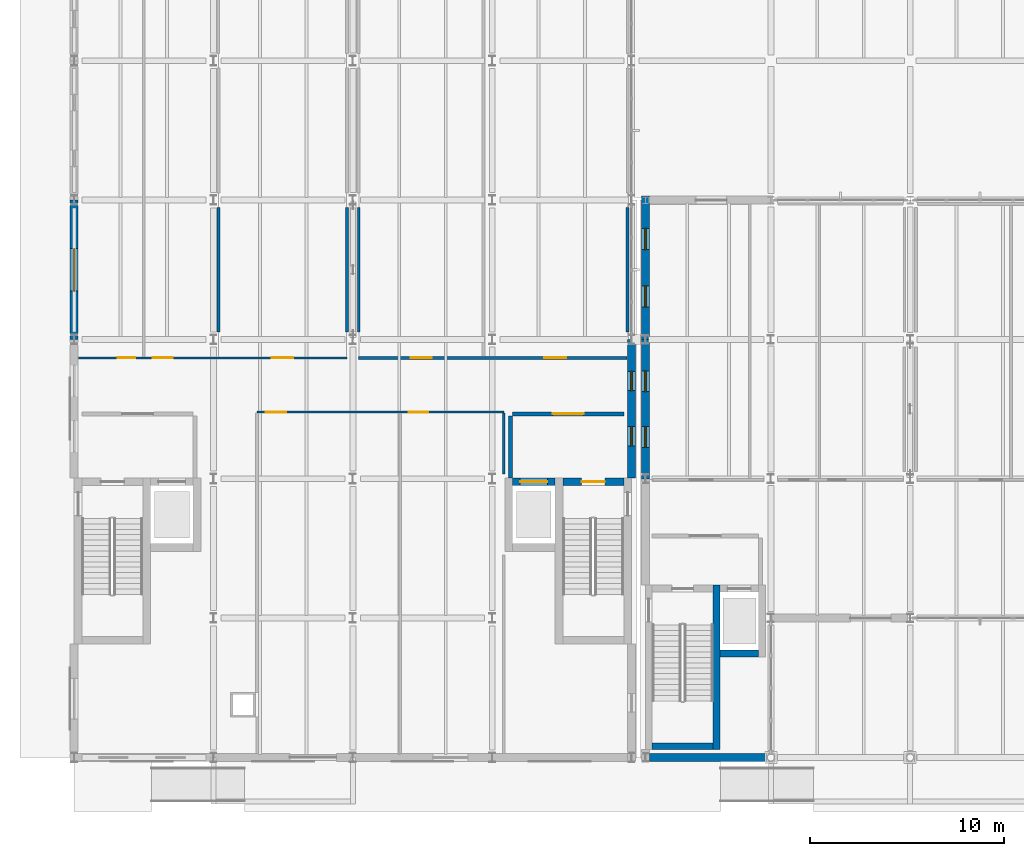
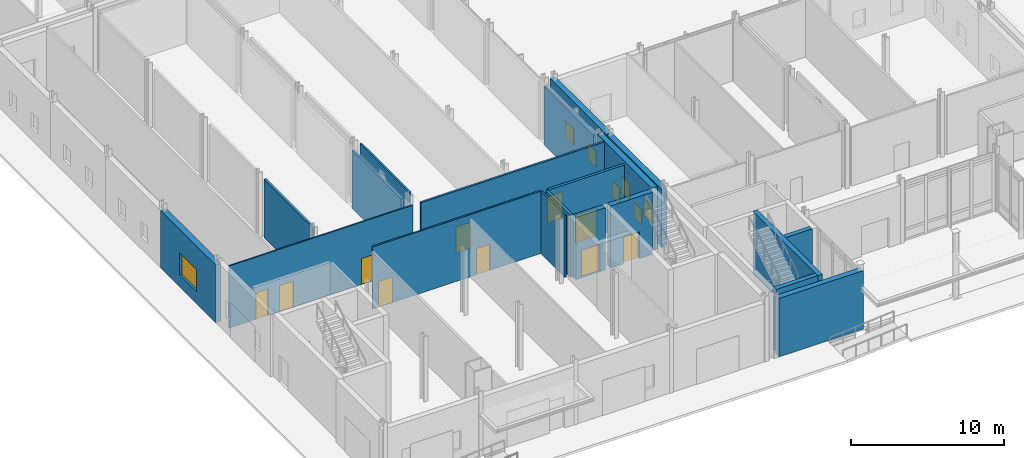
# One storey, part 59 of 89: 20 walls, 10 doors, 7 windows, 17 openings.
"""IFC4 building model written with IfcOpenShell, lengths in metres."""

from ifc_helpers import new_model, si_unit, direction, frame, frame_2d, origin, place, context, subcontext, project, spatial, rectangle, extrude, material, layer, layer_set, type_object, element, fill, save


model = new_model("IFC4")

# Units and contexts
model_context = context("Model", 3, precision=1e-05, world=origin(), true_north=direction((0.0, 1.0)))
body_context = subcontext(model_context, "Body", "Model", "MODEL_VIEW")
ifc_project = project(units=[si_unit("LENGTHUNIT", "METRE"), si_unit("AREAUNIT", "SQUARE_METRE"), si_unit("VOLUMEUNIT", "CUBIC_METRE"), si_unit("PLANEANGLEUNIT", "RADIAN"), si_unit("MASSUNIT", "GRAM", prefix="KILO")], contexts=[model_context])

# Site, building, storey
site_placement = place(None, origin())
site = spatial("IfcSite", under=ifc_project, at=site_placement, CompositionType="ELEMENT")
building_placement = place(site_placement, origin())
building = spatial("IfcBuilding", under=site, at=building_placement, Name="Zarrinpeak Specialist Clinic", CompositionType="ELEMENT")
storey_placement = place(building_placement, origin())
storey = spatial("IfcBuildingStorey", under=building, at=storey_placement, Name="L00", CompositionType="ELEMENT", Elevation=0.0)

# Walls
ifc_material_1 = material(Name="Concrete C40/50", Category="concrete")
ifc_layer_1 = layer(ifc_material_1, 0.35009765625)
ifc_layer_set_1 = layer_set([ifc_layer_1], Name="Concrete C40/50")
wall_type_1 = type_object("IfcWallType", Name="WL-CR350", PredefinedType="SHEAR", material=ifc_layer_set_1)
wall_1_placement = place(storey_placement, frame((29.8701171875, 0.574951171875, 0.0), z_axis=(0.0, 0.0, 1.0), x_axis=(1.0, 0.0, 0.0)))
element("IfcWall", 1, at=wall_1_placement, inside=storey, type_object=wall_type_1, Name="L00 Core C03 Shear Wall STS", PredefinedType="SHEAR", context=body_context, shape_type="SweptSolid", body=[
    extrude(rectangle(XDim=3.14990234375, YDim=0.35009765625, at=frame_2d((1.574951171875, 0.0))), origin(), (0.0, 0.0, 1.0), 4.969970703125),
])
wall_2_placement = place(storey_placement, frame((33.195068359375, 0.39990234375, 0.0), z_axis=(0.0, 0.0, 1.0), x_axis=(0.0, 1.0, 0.0)))
element("IfcWall", 2, at=wall_2_placement, inside=storey, type_object=wall_type_1, Name="L00 Core C03 Shear Wall STE", PredefinedType="SHEAR", context=body_context, shape_type="SweptSolid", body=[
    extrude(rectangle(XDim=8.5, YDim=0.35009765625, at=frame_2d((4.25, 0.0))), origin(), (0.0, 0.0, 1.0), 4.969970703125),
])
wall_3_placement = place(storey_placement, frame((33.3701171875, 5.375, 0.0), z_axis=(0.0, 0.0, 1.0), x_axis=(1.0, 0.0, 0.0)))
element("IfcWall", 3, at=wall_3_placement, inside=storey, type_object=wall_type_1, Name="L00 Lift LF-P2 Shaft Wall LFS", PredefinedType="SHEAR", context=body_context, shape_type="SweptSolid", body=[
    extrude(rectangle(XDim=2.0, YDim=0.35009765625, at=frame_2d((1.0, 0.0))), origin(), (0.0, 0.0, 1.0), 4.969970703125),
])

# Wall, opening, door
ifc_layer_2 = layer(ifc_material_1, 0.39990234375)
ifc_layer_set_2 = layer_set([ifc_layer_2], Name="Concrete C40/50")
wall_type_2 = type_object("IfcWallType", Name="WL-CR400", PredefinedType="SHEAR", material=ifc_layer_set_2)
wall_4_placement = place(storey_placement, frame((25.25, 14.25, 0.0), z_axis=(0.0, 0.0, 1.0), x_axis=(1.0, 0.0, 0.0)))
wall_4 = element("IfcWall", 4, at=wall_4_placement, inside=storey, type_object=wall_type_2, Name="L00 Core C02 Shear Wall STN", PredefinedType="SHEAR", context=body_context, shape_type="SweptSolid", body=[
    extrude(rectangle(XDim=3.14990234375, YDim=0.39990234375, at=frame_2d((1.574951171875, 0.0))), origin(), (0.0, 0.0, 1.0), 4.969970703125),
])
opening_1_placement = place(wall_4_placement, frame((0.97509765625, 0.0, 0.0)))
opening_1 = element("IfcOpeningElement", 5, at=opening_1_placement, cuts=wall_4, Name="Opening D-S01", PredefinedType="OPENING", context=body_context, shape_type="SweptSolid", body=[
    extrude(rectangle(XDim=1.199951171875, YDim=2.14990234375, at=frame_2d((0.60009765625, 1.074951171875))), frame((0.0, 0.2099609375, 0.0), z_axis=(0.0, -1.0, 0.0), x_axis=(1.0, 0.0, 0.0)), (0.0, 0.0, 1.0), 0.419921875),
])
ifc_material_2 = material(Name="Powder-Coated Galvanised Steel", Category="steel")
door_type_1 = type_object("IfcDoorType", Name="DR-FD120", OperationType="SINGLE_SWING_LEFT", PredefinedType="DOOR", material=ifc_material_2)
door_1_placement = place(opening_1_placement, frame((1.199951171875, 0.0, 0.0), z_axis=(0.0, 0.0, 1.0), x_axis=(-1.0, 0.0, 0.0)))
door_1 = element("IfcDoor", 6, at=door_1_placement, inside=storey, type_object=door_type_1, Name="L00 Protected Stair ST-02 Fire Door", OperationType="SINGLE_SWING_LEFT", OverallHeight=2.14990234375, OverallWidth=1.199951171875, PredefinedType="DOOR", context=body_context, shape_type="SweptSolid", body=[
    extrude(rectangle(XDim=1.199951171875, YDim=2.14990234375, at=frame_2d((0.60009765625, 1.074951171875))), frame((0.0, 0.02490234375, 0.0), z_axis=(0.0, -1.0, 0.0), x_axis=(1.0, 0.0, 0.0)), (0.0, 0.0, 1.0), 0.050048828125),
])
fill(opening_1, door_1)

wall_5_placement = place(storey_placement, frame((22.64990234375, 14.25, 0.0), z_axis=(0.0, 0.0, 1.0), x_axis=(1.0, 0.0, 0.0)))
wall_5 = element("IfcWall", 7, at=wall_5_placement, inside=storey, type_object=wall_type_2, Name="L00 Lift LF-FF2 Shaft Wall LFN", PredefinedType="SHEAR", context=body_context, shape_type="SweptSolid", body=[
    extrude(rectangle(XDim=2.2001953125, YDim=0.39990234375, at=frame_2d((1.10009765625, 0.0))), origin(), (0.0, 0.0, 1.0), 4.969970703125),
])
opening_2_placement = place(wall_5_placement, frame((0.39990234375, 0.0, 0.0)))
opening_2 = element("IfcOpeningElement", 8, at=opening_2_placement, cuts=wall_5, Name="Opening LD-01", PredefinedType="OPENING", context=body_context, shape_type="SweptSolid", body=[
    extrude(rectangle(XDim=1.39990234375, YDim=2.199951171875, at=frame_2d((0.699951171875, 1.10009765625))), frame((0.0, 0.2099609375, 0.0), z_axis=(0.0, -1.0, 0.0), x_axis=(1.0, 0.0, 0.0)), (0.0, 0.0, 1.0), 0.419921875),
])
door_type_2 = type_object("IfcDoorType", Name="DR-LD140", OperationType="SLIDING_TO_LEFT", PredefinedType="DOOR", material=ifc_material_2)
door_2_placement = place(opening_2_placement, origin())
door_2 = element("IfcDoor", 9, at=door_2_placement, inside=storey, type_object=door_type_2, Name="L00 Lift LF-FF2 Sliding Landing Door", OperationType="SLIDING_TO_LEFT", OverallHeight=2.199951171875, OverallWidth=1.39990234375, PredefinedType="DOOR", context=body_context, shape_type="SweptSolid", body=[
    extrude(rectangle(XDim=1.39990234375, YDim=2.199951171875, at=frame_2d((0.699951171875, 1.10009765625))), frame((0.0, 0.02490234375, 0.0), z_axis=(0.0, -1.0, 0.0), x_axis=(1.0, 0.0, 0.0)), (0.0, 0.0, 1.0), 0.050048828125),
])
fill(opening_2, door_2)

# Wall, opening, window
ifc_material_3 = material(Name="Precast concrete C40/50", Category="concrete")
ifc_layer_3 = layer(ifc_material_3, 0.419921875)
ifc_layer_set_3 = layer_set([ifc_layer_3], Name="Precast concrete C40/50")
wall_type_3 = type_object("IfcWallType", Name="WL-EW420", PredefinedType="STANDARD", material=ifc_layer_set_3)
wall_6_placement = place(storey_placement, frame((0.0, 28.800048828125, 0.0), z_axis=(0.0, 0.0, 1.0), x_axis=(0.0, -1.0, 0.0)))
wall_6 = element("IfcWall", 10, at=wall_6_placement, inside=storey, type_object=wall_type_3, Name="L00 V1 Exterior GRC Wall EW-L00-V1-0009", PredefinedType="STANDARD", context=body_context, shape_type="SweptSolid", body=[
    extrude(rectangle(XDim=7.199951171875, YDim=0.419921875, at=frame_2d((3.60009765625, 0.0))), origin(), (0.0, 0.0, 1.0), 4.594970703125),
])
opening_3_placement = place(wall_6_placement, frame((2.5, 0.0, 0.949951171875)))
opening_3 = element("IfcOpeningElement", 11, at=opening_3_placement, cuts=wall_6, Name="Opening W-12", PredefinedType="OPENING", context=body_context, shape_type="SweptSolid", body=[
    extrude(rectangle(XDim=2.199951171875, YDim=1.75, at=frame_2d((1.10009765625, 0.875))), frame((0.0, 0.219970703125, 0.0), z_axis=(0.0, -1.0, 0.0), x_axis=(1.0, 0.0, 0.0)), (0.0, 0.0, 1.0), 0.43994140625),
])
ifc_material_4 = material(Name="Thermally Broken Aluminium and Low-E Glazing", Category="aluminium")
window_type_1 = type_object("IfcWindowType", Name="WN-SEM220", PartitioningType="SINGLE_PANEL", PredefinedType="WINDOW", material=ifc_material_4)
window_1_placement = place(opening_3_placement, origin())
window_1 = element("IfcWindow", 12, at=window_1_placement, inside=storey, type_object=window_type_1, Name="L00 Modular Facade Window WN-L00-0011", OverallHeight=1.75, OverallWidth=2.199951171875, PartitioningType="SINGLE_PANEL", PredefinedType="WINDOW", context=body_context, shape_type="SweptSolid", body=[
    extrude(rectangle(XDim=2.199951171875, YDim=1.75, at=frame_2d((1.10009765625, 0.875))), frame((0.0, 0.030029296875, 0.0), z_axis=(0.0, -1.0, 0.0), x_axis=(1.0, 0.0, 0.0)), (0.0, 0.0, 1.0), 0.06005859375),
])
fill(opening_3, window_1)

# Wall, openings, windows
wall_7_placement = place(storey_placement, frame((28.800048828125, 14.449951171875, 0.0), z_axis=(0.0, 0.0, 1.0), x_axis=(0.0, 1.0, 0.0)))
wall_7 = element("IfcWall", 13, at=wall_7_placement, inside=storey, type_object=wall_type_3, Name="L00 V1 Exterior GRC Wall EW-L00-V1-0014", PredefinedType="STANDARD", context=body_context, shape_type="SweptSolid", body=[
    extrude(rectangle(XDim=7.150146484375, YDim=0.419921875, at=frame_2d((3.5751953125, 0.0))), origin(), (0.0, 0.0, 1.0), 4.969970703125),
])
opening_4_placement = place(wall_7_placement, frame((1.64697265625, 0.0, 0.949951171875)))
opening_4 = element("IfcOpeningElement", 14, at=opening_4_placement, cuts=wall_7, Name="Opening WS-05", PredefinedType="OPENING", context=body_context, shape_type="SweptSolid", body=[
    extrude(rectangle(XDim=0.99609375, YDim=1.260009765625, at=frame_2d((0.498046875, 0.6298828125))), frame((0.0, 0.219970703125, 0.0), z_axis=(0.0, -1.0, 0.0), x_axis=(1.0, 0.0, 0.0)), (0.0, 0.0, 1.0), 0.43994140625),
])
opening_5_placement = place(wall_7_placement, frame((4.507080078125, 0.0, 0.949951171875)))
opening_5 = element("IfcOpeningElement", 15, at=opening_5_placement, cuts=wall_7, Name="Opening WS-05", PredefinedType="OPENING", context=body_context, shape_type="SweptSolid", body=[
    extrude(rectangle(XDim=0.99609375, YDim=1.260009765625, at=frame_2d((0.498046875, 0.6298828125))), frame((0.0, 0.219970703125, 0.0), z_axis=(0.0, -1.0, 0.0), x_axis=(1.0, 0.0, 0.0)), (0.0, 0.0, 1.0), 0.43994140625),
])
window_type_2 = type_object("IfcWindowType", Name="WN-SP05", PartitioningType="SINGLE_PANEL", PredefinedType="WINDOW", material=ifc_material_4)
window_2_placement = place(opening_4_placement, origin())
window_2 = element("IfcWindow", 16, at=window_2_placement, inside=storey, type_object=window_type_2, Name="L00 Modular Facade Window WN-L00-0019", OverallHeight=1.260009765625, OverallWidth=0.99609375, PartitioningType="SINGLE_PANEL", PredefinedType="WINDOW", context=body_context, shape_type="SweptSolid", body=[
    extrude(rectangle(XDim=0.99609375, YDim=1.260009765625, at=frame_2d((0.498046875, 0.6298828125))), frame((0.0, 0.030029296875, 0.0), z_axis=(0.0, -1.0, 0.0), x_axis=(1.0, 0.0, 0.0)), (0.0, 0.0, 1.0), 0.06005859375),
])
fill(opening_4, window_2)
window_3_placement = place(opening_5_placement, origin())
window_3 = element("IfcWindow", 17, at=window_3_placement, inside=storey, type_object=window_type_2, Name="L00 Modular Facade Window WN-L00-0020", OverallHeight=1.260009765625, OverallWidth=0.99609375, PartitioningType="SINGLE_PANEL", PredefinedType="WINDOW", context=body_context, shape_type="SweptSolid", body=[
    extrude(rectangle(XDim=0.99609375, YDim=1.260009765625, at=frame_2d((0.498046875, 0.6298828125))), frame((0.0, 0.030029296875, 0.0), z_axis=(0.0, -1.0, 0.0), x_axis=(1.0, 0.0, 0.0)), (0.0, 0.0, 1.0), 0.06005859375),
])
fill(opening_5, window_3)

# Wall
wall_8_placement = place(storey_placement, frame((29.72998046875, 0.0, 0.0), z_axis=(0.0, 0.0, 1.0), x_axis=(1.0, 0.0, 0.0)))
element("IfcWall", 18, at=wall_8_placement, inside=storey, type_object=wall_type_3, Name="L00 V2 Exterior GRC Wall EW-L00-V2-0096", PredefinedType="STANDARD", context=body_context, shape_type="SweptSolid", body=[
    extrude(rectangle(XDim=6.380126953125, YDim=0.419921875, at=frame_2d((3.18994140625, 0.0))), origin(), (0.0, 0.0, 1.0), 4.6650390625),
])

# Wall, openings, windows
wall_9_placement = place(storey_placement, frame((29.52001953125, 21.60009765625, 0.0), z_axis=(0.0, 0.0, 1.0), x_axis=(0.0, -1.0, 0.0)))
wall_9 = element("IfcWall", 19, at=wall_9_placement, inside=storey, type_object=wall_type_3, Name="L00 V2 Exterior GRC Wall EW-L00-V2-0103", PredefinedType="STANDARD", context=body_context, shape_type="SweptSolid", body=[
    extrude(rectangle(XDim=7.2001953125, YDim=0.419921875, at=frame_2d((3.60009765625, 0.0))), origin(), (0.0, 0.0, 1.0), 4.6650390625),
])
opening_6_placement = place(wall_9_placement, frame((1.6279296875, 0.0, 0.949951171875)))
opening_6 = element("IfcOpeningElement", 20, at=opening_6_placement, cuts=wall_9, Name="Opening WS-20", PredefinedType="OPENING", context=body_context, shape_type="SweptSolid", body=[
    extrude(rectangle(XDim=1.06396484375, YDim=1.2958984375, at=frame_2d((0.531982421875, 0.64794921875))), frame((0.0, 0.219970703125, 0.0), z_axis=(0.0, -1.0, 0.0), x_axis=(1.0, 0.0, 0.0)), (0.0, 0.0, 1.0), 0.43994140625),
])
opening_7_placement = place(wall_9_placement, frame((4.508056640625, 0.0, 0.949951171875)))
opening_7 = element("IfcOpeningElement", 21, at=opening_7_placement, cuts=wall_9, Name="Opening WS-20", PredefinedType="OPENING", context=body_context, shape_type="SweptSolid", body=[
    extrude(rectangle(XDim=1.06396484375, YDim=1.2958984375, at=frame_2d((0.531982421875, 0.64794921875))), frame((0.0, 0.219970703125, 0.0), z_axis=(0.0, -1.0, 0.0), x_axis=(1.0, 0.0, 0.0)), (0.0, 0.0, 1.0), 0.43994140625),
])
window_type_3 = type_object("IfcWindowType", Name="WN-SP20", PartitioningType="SINGLE_PANEL", PredefinedType="WINDOW", material=ifc_material_4)
window_4_placement = place(opening_6_placement, origin())
window_4 = element("IfcWindow", 22, at=window_4_placement, inside=storey, type_object=window_type_3, Name="L00 Modular Facade Window WN-L00-0140", OverallHeight=1.2958984375, OverallWidth=1.06396484375, PartitioningType="SINGLE_PANEL", PredefinedType="WINDOW", context=body_context, shape_type="SweptSolid", body=[
    extrude(rectangle(XDim=1.06396484375, YDim=1.2958984375, at=frame_2d((0.531982421875, 0.64794921875))), frame((0.0, 0.030029296875, 0.0), z_axis=(0.0, -1.0, 0.0), x_axis=(1.0, 0.0, 0.0)), (0.0, 0.0, 1.0), 0.06005859375),
])
fill(opening_6, window_4)
window_5_placement = place(opening_7_placement, origin())
window_5 = element("IfcWindow", 23, at=window_5_placement, inside=storey, type_object=window_type_3, Name="L00 Modular Facade Window WN-L00-0141", OverallHeight=1.2958984375, OverallWidth=1.06396484375, PartitioningType="SINGLE_PANEL", PredefinedType="WINDOW", context=body_context, shape_type="SweptSolid", body=[
    extrude(rectangle(XDim=1.06396484375, YDim=1.2958984375, at=frame_2d((0.531982421875, 0.64794921875))), frame((0.0, 0.030029296875, 0.0), z_axis=(0.0, -1.0, 0.0), x_axis=(1.0, 0.0, 0.0)), (0.0, 0.0, 1.0), 0.06005859375),
])
fill(opening_7, window_5)

wall_10_placement = place(storey_placement, frame((29.52001953125, 29.010009765625, 0.0), z_axis=(0.0, 0.0, 1.0), x_axis=(0.0, -1.0, 0.0)))
wall_10 = element("IfcWall", 24, at=wall_10_placement, inside=storey, type_object=wall_type_3, Name="L00 V2 Exterior GRC Wall EW-L00-V2-0104", PredefinedType="STANDARD", context=body_context, shape_type="SweptSolid", body=[
    extrude(rectangle(XDim=7.409912109375, YDim=0.419921875, at=frame_2d((3.705078125, 0.0))), origin(), (0.0, 0.0, 1.0), 4.6650390625),
])
opening_8_placement = place(wall_10_placement, frame((1.674072265625, 0.0, 0.949951171875)))
opening_8 = element("IfcOpeningElement", 25, at=opening_8_placement, cuts=wall_10, Name="Opening WS-21", PredefinedType="OPENING", context=body_context, shape_type="SweptSolid", body=[
    extrude(rectangle(XDim=1.097900390625, YDim=1.2958984375, at=frame_2d((0.548828125, 0.64794921875))), frame((0.0, 0.219970703125, 0.0), z_axis=(0.0, -1.0, 0.0), x_axis=(1.0, 0.0, 0.0)), (0.0, 0.0, 1.0), 0.43994140625),
])
opening_9_placement = place(wall_10_placement, frame((4.637939453125, 0.0, 0.949951171875)))
opening_9 = element("IfcOpeningElement", 26, at=opening_9_placement, cuts=wall_10, Name="Opening WS-21", PredefinedType="OPENING", context=body_context, shape_type="SweptSolid", body=[
    extrude(rectangle(XDim=1.097900390625, YDim=1.2958984375, at=frame_2d((0.548828125, 0.64794921875))), frame((0.0, 0.219970703125, 0.0), z_axis=(0.0, -1.0, 0.0), x_axis=(1.0, 0.0, 0.0)), (0.0, 0.0, 1.0), 0.43994140625),
])
window_type_4 = type_object("IfcWindowType", Name="WN-SP21", PartitioningType="SINGLE_PANEL", PredefinedType="WINDOW", material=ifc_material_4)
window_6_placement = place(opening_8_placement, origin())
window_6 = element("IfcWindow", 27, at=window_6_placement, inside=storey, type_object=window_type_4, Name="L00 Modular Facade Window WN-L00-0142", OverallHeight=1.2958984375, OverallWidth=1.097900390625, PartitioningType="SINGLE_PANEL", PredefinedType="WINDOW", context=body_context, shape_type="SweptSolid", body=[
    extrude(rectangle(XDim=1.097900390625, YDim=1.2958984375, at=frame_2d((0.548828125, 0.64794921875))), frame((0.0, 0.030029296875, 0.0), z_axis=(0.0, -1.0, 0.0), x_axis=(1.0, 0.0, 0.0)), (0.0, 0.0, 1.0), 0.06005859375),
])
fill(opening_8, window_6)
window_7_placement = place(opening_9_placement, origin())
window_7 = element("IfcWindow", 28, at=window_7_placement, inside=storey, type_object=window_type_4, Name="L00 Modular Facade Window WN-L00-0143", OverallHeight=1.2958984375, OverallWidth=1.097900390625, PartitioningType="SINGLE_PANEL", PredefinedType="WINDOW", context=body_context, shape_type="SweptSolid", body=[
    extrude(rectangle(XDim=1.097900390625, YDim=1.2958984375, at=frame_2d((0.548828125, 0.64794921875))), frame((0.0, 0.030029296875, 0.0), z_axis=(0.0, -1.0, 0.0), x_axis=(1.0, 0.0, 0.0)), (0.0, 0.0, 1.0), 0.06005859375),
])
fill(opening_9, window_7)

# Wall, openings, doors
ifc_material_5 = material(Name="Sanitary Service Chase Plumbing Wall", Category="gypsum")
ifc_layer_4 = layer(ifc_material_5, 0.110107421875)
ifc_layer_set_4 = layer_set([ifc_layer_4], Name="Sanitary Service Chase Plumbing Wall")
wall_type_4 = type_object("IfcWallType", Name="WL-IW110", PredefinedType="PARTITIONING", material=ifc_layer_set_4)
wall_11_placement = place(storey_placement, frame((0.22998046875, 20.64990234375, 0.0), z_axis=(0.0, 0.0, 1.0), x_axis=(1.0, 0.0, 0.0)))
wall_11 = element("IfcWall", 29, at=wall_11_placement, inside=storey, type_object=wall_type_4, Name="L00 Public Washroom Partition", PredefinedType="PARTITIONING", context=body_context, shape_type="SweptSolid", body=[
    extrude(rectangle(XDim=13.8701171875, YDim=0.110107421875, at=frame_2d((6.93505859375, 0.0))), origin(), (0.0, 0.0, 1.0), 4.969970703125),
])
opening_10_placement = place(wall_11_placement, frame((2.02001953125, 0.0, 0.0)))
opening_10 = element("IfcOpeningElement", 30, at=opening_10_placement, cuts=wall_11, Name="Opening D-W01", PredefinedType="OPENING", context=body_context, shape_type="SweptSolid", body=[
    extrude(rectangle(XDim=0.89990234375, YDim=2.10009765625, at=frame_2d((0.449951171875, 1.050048828125))), frame((0.0, 0.06494140625, 0.0), z_axis=(0.0, -1.0, 0.0), x_axis=(1.0, 0.0, 0.0)), (0.0, 0.0, 1.0), 0.130126953125),
])
opening_11_placement = place(wall_11_placement, frame((3.820068359375, 0.0, 0.0)))
opening_11 = element("IfcOpeningElement", 31, at=opening_11_placement, cuts=wall_11, Name="Opening DS-20", PredefinedType="OPENING", context=body_context, shape_type="SweptSolid", body=[
    extrude(rectangle(XDim=1.035888671875, YDim=2.068115234375, at=frame_2d((0.51806640625, 1.0341796875))), frame((0.0, 0.06494140625, 0.0), z_axis=(0.0, -1.0, 0.0), x_axis=(1.0, 0.0, 0.0)), (0.0, 0.0, 1.0), 0.130126953125),
])
opening_12_placement = place(wall_11_placement, frame((9.988037109375, 0.0, 0.0)))
opening_12 = element("IfcOpeningElement", 32, at=opening_12_placement, cuts=wall_11, Name="Opening DS-23", PredefinedType="OPENING", context=body_context, shape_type="SweptSolid", body=[
    extrude(rectangle(XDim=1.114013671875, YDim=2.068115234375, at=frame_2d((0.55712890625, 1.0341796875))), frame((0.0, 0.06494140625, 0.0), z_axis=(0.0, -1.0, 0.0), x_axis=(1.0, 0.0, 0.0)), (0.0, 0.0, 1.0), 0.130126953125),
])
door_type_3 = type_object("IfcDoorType", Name="DR-SP20", OperationType="SINGLE_SWING_LEFT", PredefinedType="DOOR", material=ifc_material_2)
door_3_placement = place(opening_11_placement, frame((1.035888671875, 0.0, 0.0), z_axis=(0.0, 0.0, 1.0), x_axis=(-1.0, 0.0, 0.0)))
door_3 = element("IfcDoor", 33, at=door_3_placement, inside=storey, type_object=door_type_3, Name="L00 Fire Command Room Door", OperationType="SINGLE_SWING_LEFT", OverallHeight=2.068115234375, OverallWidth=1.035888671875, PredefinedType="DOOR", context=body_context, shape_type="SweptSolid", body=[
    extrude(rectangle(XDim=1.035888671875, YDim=2.068115234375, at=frame_2d((0.51806640625, 1.0341796875))), frame((0.0, 0.02490234375, 0.0), z_axis=(0.0, -1.0, 0.0), x_axis=(1.0, 0.0, 0.0)), (0.0, 0.0, 1.0), 0.050048828125),
])
fill(opening_11, door_3)
door_type_4 = type_object("IfcDoorType", Name="DR-SP23", OperationType="SINGLE_SWING_RIGHT", PredefinedType="DOOR", material=ifc_material_2)
door_4_placement = place(opening_12_placement, frame((1.114013671875, 0.0, 0.0), z_axis=(0.0, 0.0, 1.0), x_axis=(-1.0, 0.0, 0.0)))
door_4 = element("IfcDoor", 34, at=door_4_placement, inside=storey, type_object=door_type_4, Name="L00 Cardiology ECG Diagnostic Suite Door", OperationType="SINGLE_SWING_RIGHT", OverallHeight=2.068115234375, OverallWidth=1.114013671875, PredefinedType="DOOR", context=body_context, shape_type="SweptSolid", body=[
    extrude(rectangle(XDim=1.114013671875, YDim=2.068115234375, at=frame_2d((0.55712890625, 1.0341796875))), frame((0.0, 0.02490234375, 0.0), z_axis=(0.0, -1.0, 0.0), x_axis=(1.0, 0.0, 0.0)), (0.0, 0.0, 1.0), 0.050048828125),
])
fill(opening_12, door_4)
door_type_5 = type_object("IfcDoorType", Name="DR-WC90", OperationType="SINGLE_SWING_RIGHT", PredefinedType="DOOR", material=ifc_material_2)
door_5_placement = place(opening_10_placement, frame((0.89990234375, 0.0, 0.0), z_axis=(0.0, 0.0, 1.0), x_axis=(-1.0, 0.0, 0.0)))
door_5 = element("IfcDoor", 35, at=door_5_placement, inside=storey, type_object=door_type_5, Name="L00 Public Washroom Door", OperationType="SINGLE_SWING_RIGHT", OverallHeight=2.10009765625, OverallWidth=0.89990234375, PredefinedType="DOOR", context=body_context, shape_type="SweptSolid", body=[
    extrude(rectangle(XDim=0.89990234375, YDim=2.10009765625, at=frame_2d((0.449951171875, 1.050048828125))), frame((0.0, 0.02490234375, 0.0), z_axis=(0.0, -1.0, 0.0), x_axis=(1.0, 0.0, 0.0)), (0.0, 0.0, 1.0), 0.050048828125),
])
fill(opening_10, door_5)

# Wall
wall_12_placement = place(storey_placement, frame((22.199951171875, 14.64990234375, 0.0), z_axis=(0.0, 0.0, 1.0), x_axis=(0.0, 1.0, 0.0)))
element("IfcWall", 36, at=wall_12_placement, inside=storey, type_object=wall_type_4, Name="L00 Accessible Visitor WC Dividing Partition", PredefinedType="PARTITIONING", context=body_context, shape_type="SweptSolid", body=[
    extrude(rectangle(XDim=3.1376953125, YDim=0.110107421875, at=frame_2d((1.56884765625, 0.0))), origin(), (0.0, 0.0, 1.0), 4.969970703125),
])

# Wall, openings, doors
ifc_material_6 = material(Name="Moisture-Resistant Wet-Room Partition", Category="gypsum")
ifc_layer_5 = layer(ifc_material_6, 0.125)
ifc_layer_set_5 = layer_set([ifc_layer_5], Name="Moisture-Resistant Wet-Room Partition")
wall_type_5 = type_object("IfcWallType", Name="WL-IW125W", PredefinedType="PARTITIONING", material=ifc_layer_set_5)
wall_13_placement = place(storey_placement, frame((9.449951171875, 17.85009765625, 0.0), z_axis=(0.0, 0.0, 1.0), x_axis=(1.0, 0.0, 0.0)))
wall_13 = element("IfcWall", 37, at=wall_13_placement, inside=storey, type_object=wall_type_5, Name="L00 Accessible Visitor WC Partition", PredefinedType="PARTITIONING", context=body_context, shape_type="SweptSolid", body=[
    extrude(rectangle(XDim=12.75, YDim=0.125, at=frame_2d((6.375, 0.0))), origin(), (0.0, 0.0, 1.0), 4.969970703125),
])
opening_13_placement = place(wall_13_placement, frame((7.85009765625, 0.0, 0.0)))
opening_13 = element("IfcOpeningElement", 38, at=opening_13_placement, cuts=wall_13, Name="Opening D-W02", PredefinedType="OPENING", context=body_context, shape_type="SweptSolid", body=[
    extrude(rectangle(XDim=1.0, YDim=2.10009765625, at=frame_2d((0.5, 1.050048828125))), frame((0.0, 0.072509765625, 0.0), z_axis=(0.0, -1.0, 0.0), x_axis=(1.0, 0.0, 0.0)), (0.0, 0.0, 1.0), 0.14501953125),
])
opening_14_placement = place(wall_13_placement, frame((0.449951171875, 0.0, 0.0)))
opening_14 = element("IfcOpeningElement", 39, at=opening_14_placement, cuts=wall_13, Name="Opening DS-21", PredefinedType="OPENING", context=body_context, shape_type="SweptSolid", body=[
    extrude(rectangle(XDim=1.06201171875, YDim=2.068115234375, at=frame_2d((0.531005859375, 1.0341796875))), frame((0.0, 0.072509765625, 0.0), z_axis=(0.0, -1.0, 0.0), x_axis=(1.0, 0.0, 0.0)), (0.0, 0.0, 1.0), 0.14501953125),
])
door_type_6 = type_object("IfcDoorType", Name="DR-AWC100", OperationType="SLIDING_TO_LEFT", PredefinedType="DOOR", material=ifc_material_2)
door_6_placement = place(opening_13_placement, origin())
door_6 = element("IfcDoor", 40, at=door_6_placement, inside=storey, type_object=door_type_6, Name="L00 Accessible Visitor WC Door", OperationType="SLIDING_TO_LEFT", OverallHeight=2.10009765625, OverallWidth=1.0, PredefinedType="DOOR", context=body_context, shape_type="SweptSolid", body=[
    extrude(rectangle(XDim=1.0, YDim=2.10009765625, at=frame_2d((0.5, 1.050048828125))), frame((0.0, 0.02490234375, 0.0), z_axis=(0.0, -1.0, 0.0), x_axis=(1.0, 0.0, 0.0)), (0.0, 0.0, 1.0), 0.050048828125),
])
fill(opening_13, door_6)
door_type_7 = type_object("IfcDoorType", Name="DR-SP21", OperationType="SINGLE_SWING_RIGHT", PredefinedType="DOOR", material=ifc_material_2)
door_7_placement = place(opening_14_placement, origin())
door_7 = element("IfcDoor", 41, at=door_7_placement, inside=storey, type_object=door_type_7, Name="L00 Outpatient Admissions Office Door", OperationType="SINGLE_SWING_RIGHT", OverallHeight=2.068115234375, OverallWidth=1.06201171875, PredefinedType="DOOR", context=body_context, shape_type="SweptSolid", body=[
    extrude(rectangle(XDim=1.06201171875, YDim=2.068115234375, at=frame_2d((0.531005859375, 1.0341796875))), frame((0.0, 0.02490234375, 0.0), z_axis=(0.0, -1.0, 0.0), x_axis=(1.0, 0.0, 0.0)), (0.0, 0.0, 1.0), 0.050048828125),
])
fill(opening_14, door_7)

# Wall
ifc_material_7 = material(Name="Standard Drywall Partition", Category="gypsum")
ifc_layer_6 = layer(ifc_material_7, 0.135009765625)
ifc_layer_set_6 = layer_set([ifc_layer_6], Name="Standard Drywall Partition")
wall_type_6 = type_object("IfcWallType", Name="WL-IW135", PredefinedType="PARTITIONING", material=ifc_layer_set_6)
wall_14_placement = place(storey_placement, frame((14.699951171875, 21.97998046875, 0.0), z_axis=(0.0, 0.0, 1.0), x_axis=(0.0, 1.0, 0.0)))
element("IfcWall", 42, at=wall_14_placement, inside=storey, type_object=wall_type_6, Name="L00 Main Outpatient Triage Reception Dividing Partition", PredefinedType="PARTITIONING", context=body_context, shape_type="SweptSolid", body=[
    extrude(rectangle(XDim=6.43994140625, YDim=0.135009765625, at=frame_2d((3.219970703125, 0.0))), origin(), (0.0, 0.0, 1.0), 4.969970703125),
])

# Wall, openings, doors
ifc_material_8 = material(Name="Insulated Clinical Gypsum Stud Partition", Category="gypsum")
ifc_layer_7 = layer(ifc_material_8, 0.14990234375)
ifc_layer_set_7 = layer_set([ifc_layer_7], Name="Insulated Clinical Gypsum Stud Partition")
wall_type_7 = type_object("IfcWallType", Name="WL-IW150", PredefinedType="PARTITIONING", material=ifc_layer_set_7)
wall_15_placement = place(storey_placement, frame((14.699951171875, 20.64990234375, 0.0), z_axis=(0.0, 0.0, 1.0), x_axis=(1.0, 0.0, 0.0)))
wall_15 = element("IfcWall", 43, at=wall_15_placement, inside=storey, type_object=wall_type_7, Name="L00 Main Outpatient Triage Reception Partition", PredefinedType="PARTITIONING", context=body_context, shape_type="SweptSolid", body=[
    extrude(rectangle(XDim=13.8701171875, YDim=0.14990234375, at=frame_2d((6.93505859375, 0.0))), origin(), (0.0, 0.0, 1.0), 4.969970703125),
])
opening_15_placement = place(wall_15_placement, frame((2.680908203125, 0.0, 0.0)))
opening_15 = element("IfcOpeningElement", 44, at=opening_15_placement, cuts=wall_15, Name="Opening DS-22", PredefinedType="OPENING", context=body_context, shape_type="SweptSolid", body=[
    extrude(rectangle(XDim=1.087890625, YDim=2.068115234375, at=frame_2d((0.5439453125, 1.0341796875))), frame((0.0, 0.0849609375, 0.0), z_axis=(0.0, -1.0, 0.0), x_axis=(1.0, 0.0, 0.0)), (0.0, 0.0, 1.0), 0.169921875),
])
opening_16_placement = place(wall_15_placement, frame((9.590087890625, 0.0, 0.0)))
opening_16 = element("IfcOpeningElement", 45, at=opening_16_placement, cuts=wall_15, Name="Opening DS-24", PredefinedType="OPENING", context=body_context, shape_type="SweptSolid", body=[
    extrude(rectangle(XDim=1.139892578125, YDim=2.068115234375, at=frame_2d((0.56982421875, 1.0341796875))), frame((0.0, 0.0849609375, 0.0), z_axis=(0.0, -1.0, 0.0), x_axis=(1.0, 0.0, 0.0)), (0.0, 0.0, 1.0), 0.169921875),
])
door_type_8 = type_object("IfcDoorType", Name="DR-SP22", OperationType="SINGLE_SWING_LEFT", PredefinedType="DOOR", material=ifc_material_2)
door_8_placement = place(opening_15_placement, frame((1.087890625, 0.0, 0.0), z_axis=(0.0, 0.0, 1.0), x_axis=(-1.0, 0.0, 0.0)))
door_8 = element("IfcDoor", 46, at=door_8_placement, inside=storey, type_object=door_type_8, Name="L00 Main Outpatient Triage Reception Door", OperationType="SINGLE_SWING_LEFT", OverallHeight=2.068115234375, OverallWidth=1.087890625, PredefinedType="DOOR", context=body_context, shape_type="SweptSolid", body=[
    extrude(rectangle(XDim=1.087890625, YDim=2.068115234375, at=frame_2d((0.5439453125, 1.0341796875))), frame((0.0, 0.02490234375, 0.0), z_axis=(0.0, -1.0, 0.0), x_axis=(1.0, 0.0, 0.0)), (0.0, 0.0, 1.0), 0.050048828125),
])
fill(opening_15, door_8)
door_type_9 = type_object("IfcDoorType", Name="DR-SP24", OperationType="SINGLE_SWING_LEFT", PredefinedType="DOOR", material=ifc_material_2)
door_9_placement = place(opening_16_placement, frame((1.139892578125, 0.0, 0.0), z_axis=(0.0, 0.0, 1.0), x_axis=(-1.0, 0.0, 0.0)))
door_9 = element("IfcDoor", 47, at=door_9_placement, inside=storey, type_object=door_type_9, Name="L00 Phlebotomy Specimen Collection Door", OperationType="SINGLE_SWING_LEFT", OverallHeight=2.068115234375, OverallWidth=1.139892578125, PredefinedType="DOOR", context=body_context, shape_type="SweptSolid", body=[
    extrude(rectangle(XDim=1.139892578125, YDim=2.068115234375, at=frame_2d((0.56982421875, 1.0341796875))), frame((0.0, 0.02490234375, 0.0), z_axis=(0.0, -1.0, 0.0), x_axis=(1.0, 0.0, 0.0)), (0.0, 0.0, 1.0), 0.050048828125),
])
fill(opening_16, door_9)

# Walls
wall_16_placement = place(storey_placement, frame((28.60009765625, 21.97998046875, 0.0), z_axis=(0.0, 0.0, 1.0), x_axis=(0.0, 1.0, 0.0)))
element("IfcWall", 48, at=wall_16_placement, inside=storey, type_object=wall_type_7, Name="L00 Phlebotomy Specimen Collection Dividing Partition", PredefinedType="PARTITIONING", context=body_context, shape_type="SweptSolid", body=[
    extrude(rectangle(XDim=6.43994140625, YDim=0.14990234375, at=frame_2d((3.219970703125, 0.0))), origin(), (0.0, 0.0, 1.0), 4.6650390625),
])
ifc_material_9 = material(Name="Acoustic Double Gypsum Stud Partition", Category="gypsum")
ifc_layer_8 = layer(ifc_material_9, 0.159912109375)
ifc_layer_set_8 = layer_set([ifc_layer_8], Name="Acoustic Double Gypsum Stud Partition")
wall_type_8 = type_object("IfcWallType", Name="WL-IW160", PredefinedType="PARTITIONING", material=ifc_layer_set_8)
for number, where, z_axis, x_axis, name in (
    (49, (7.449951171875, 21.97998046875, 0.0), (0.0, 0.0, 1.0), (0.0, 1.0, 0.0), "L00 Fire Command Room Dividing Partition"),
    (50, (14.10009765625, 21.97998046875, 0.0), (0.0, 0.0, 1.0), (0.0, 1.0, 0.0), "L00 Cardiology ECG Diagnostic Suite Dividing Partition"),
):
    element("IfcWall", number, at=place(storey_placement, frame(where, z_axis=z_axis, x_axis=x_axis)), inside=storey, type_object=wall_type_8, Name=name, PredefinedType="PARTITIONING", context=body_context, shape_type="SweptSolid", body=[
        extrude(rectangle(XDim=6.43994140625, YDim=0.159912109375, at=frame_2d((3.219970703125, 0.0))), origin(), (0.0, 0.0, 1.0), 4.6650390625),
    ])

# Wall, opening, door
ifc_material_10 = material(Name="Autoclaved Aerated Concrete Blockwork", Category="masonry")
ifc_layer_9 = layer(ifc_material_10, 0.199951171875)
ifc_layer_set_9 = layer_set([ifc_layer_9], Name="Autoclaved Aerated Concrete Blockwork")
wall_type_9 = type_object("IfcWallType", Name="WL-IW200", PredefinedType="PARTITIONING", material=ifc_layer_set_9)
wall_17_placement = place(storey_placement, frame((22.64990234375, 17.75, 0.0), z_axis=(0.0, 0.0, 1.0), x_axis=(1.0, 0.0, 0.0)))
wall_17 = element("IfcWall", 51, at=wall_17_placement, inside=storey, type_object=wall_type_9, Name="L00 C02 Protected Lobby Partition LBF", PredefinedType="PARTITIONING", context=body_context, shape_type="SweptSolid", body=[
    extrude(rectangle(XDim=5.75, YDim=0.199951171875, at=frame_2d((2.875, 0.0))), origin(), (0.0, 0.0, 1.0), 4.969970703125),
])
opening_17_placement = place(wall_17_placement, frame((2.074951171875, 0.0, 0.0)))
opening_17 = element("IfcOpeningElement", 52, at=opening_17_placement, cuts=wall_17, Name="Opening D-L01", PredefinedType="OPENING", context=body_context, shape_type="SweptSolid", body=[
    extrude(rectangle(XDim=1.60009765625, YDim=2.199951171875, at=frame_2d((0.800048828125, 1.10009765625))), frame((0.0, 0.10986328125, 0.0), z_axis=(0.0, -1.0, 0.0), x_axis=(1.0, 0.0, 0.0)), (0.0, 0.0, 1.0), 0.219970703125),
])
door_type_10 = type_object("IfcDoorType", Name="DR-LB160", OperationType="DOUBLE_DOOR_SINGLE_SWING", PredefinedType="DOOR", material=ifc_material_2)
door_10_placement = place(opening_17_placement, origin())
door_10 = element("IfcDoor", 53, at=door_10_placement, inside=storey, type_object=door_type_10, Name="L00 C02 Lobby Hold-Open Fire Door", OperationType="DOUBLE_DOOR_SINGLE_SWING", OverallHeight=2.199951171875, OverallWidth=1.60009765625, PredefinedType="DOOR", context=body_context, shape_type="SweptSolid", body=[
    extrude(rectangle(XDim=1.60009765625, YDim=2.199951171875, at=frame_2d((0.800048828125, 1.10009765625))), frame((0.0, 0.02490234375, 0.0), z_axis=(0.0, -1.0, 0.0), x_axis=(1.0, 0.0, 0.0)), (0.0, 0.0, 1.0), 0.050048828125),
])
fill(opening_17, door_10)

# Wall
wall_18_placement = place(storey_placement, frame((22.550048828125, 14.449951171875, 0.0), z_axis=(0.0, 0.0, 1.0), x_axis=(0.0, 1.0, 0.0)))
element("IfcWall", 54, at=wall_18_placement, inside=storey, type_object=wall_type_9, Name="L00 C02 Protected Lobby Partition LBW", PredefinedType="PARTITIONING", context=body_context, shape_type="SweptSolid", body=[
    extrude(rectangle(XDim=3.199951171875, YDim=0.199951171875, at=frame_2d((1.60009765625, 0.0))), origin(), (0.0, 0.0, 1.0), 4.969970703125),
])

save(model, "model.ifc")
